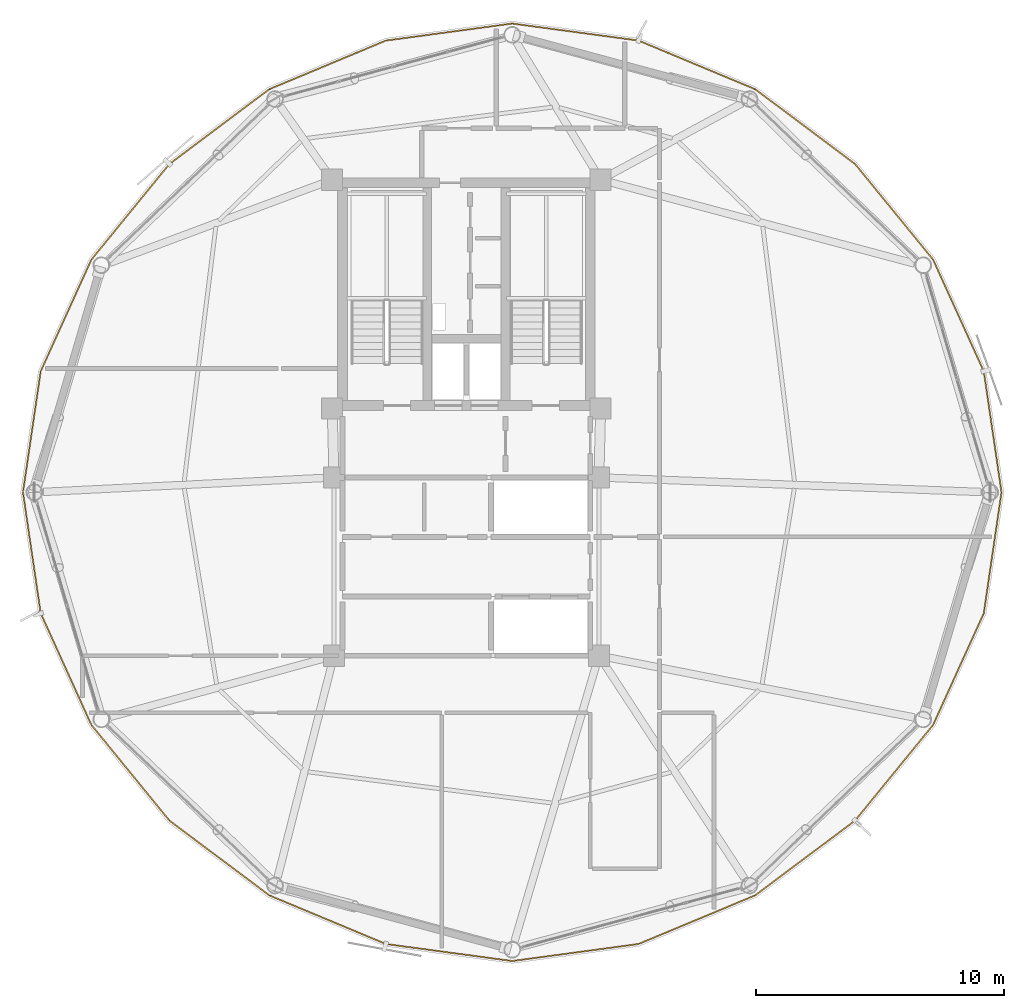
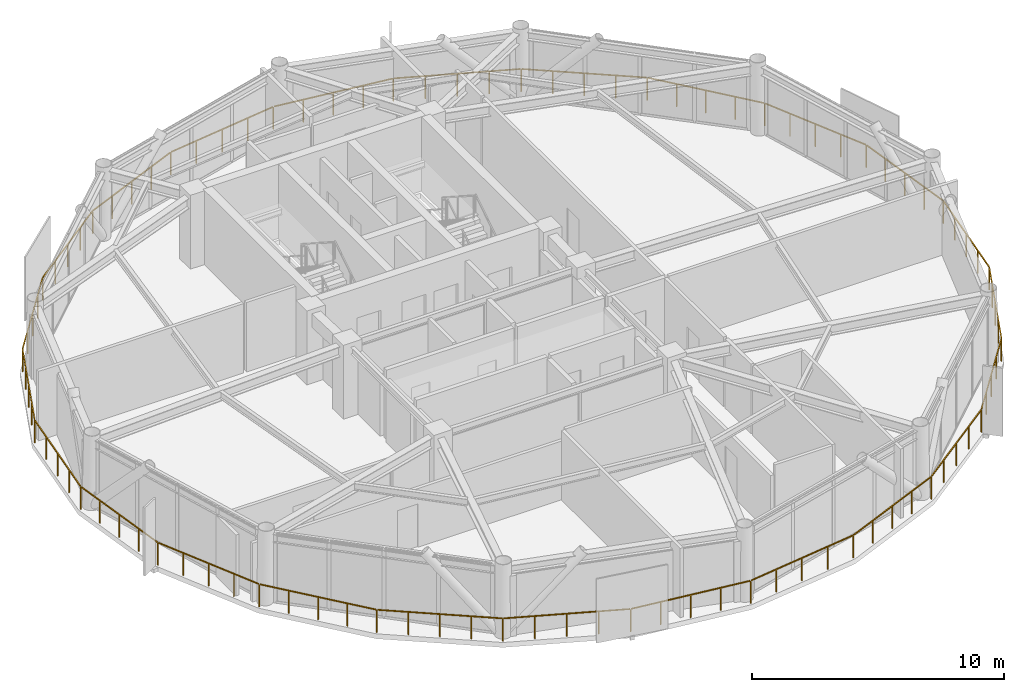
# One storey, part 27 of 28: 1 railing.
"""IFC4 building model written with IfcOpenShell, lengths in metres."""

from ifc_helpers import new_model, si_unit, direction, frame, origin, origin_2d, place, context, subcontext, project, spatial, rectangle, extrude, material, type_object, element, save


model = new_model("IFC4")

# Units and contexts
model_context = context("Model", 3, precision=1e-05, world=origin(), true_north=direction((0.0, 1.0)))
body_context = subcontext(model_context, "Body", "Model", "MODEL_VIEW")
ifc_project = project(units=[si_unit("LENGTHUNIT", "METRE"), si_unit("AREAUNIT", "SQUARE_METRE"), si_unit("VOLUMEUNIT", "CUBIC_METRE"), si_unit("PLANEANGLEUNIT", "RADIAN"), si_unit("MASSUNIT", "GRAM", prefix="KILO")], contexts=[model_context])

# Site, building, storey
site_placement = place(None, origin())
site = spatial("IfcSite", under=ifc_project, at=site_placement, CompositionType="ELEMENT")
building_placement = place(site_placement, origin())
building = spatial("IfcBuilding", under=site, at=building_placement, Name="Varnakorn Sky Granary", CompositionType="ELEMENT")
storey_placement = place(building_placement, frame((0.0, 0.0, 204.0)))
storey = spatial("IfcBuildingStorey", under=building, at=storey_placement, Name="L51", CompositionType="ELEMENT", Elevation=204.0)

# Railing
ifc_material = material(Name="Anodised Bronze Aluminium Alloy 6063-T6", Category="aluminium")
railing_type = type_object("IfcRailingType", Name="RL-BAL-1120", PredefinedType="BALUSTRADE", material=ifc_material)
railing_placement = place(storey_placement, frame((24.60693359375, 0.0, 0.0)))
element("IfcRailing", 1, at=railing_placement, inside=storey, type_object=railing_type, Name="Perimeter Slab-Edge Safety Guard L51", PredefinedType="BALUSTRADE", context=body_context, shape_type="SweptSolid", body=[
    extrude(rectangle(XDim=0.048095703125, YDim=0.048095703125, at=origin_2d()), frame((-0.004150390625, -0.027587890625, 1.09619140625), z_axis=(-0.144985743321, -0.989433744236, 0.0), x_axis=(0.989433744236, -0.144985743321, 0.0)), (0.0, 0.0, 1.0), 4.881103515625),
    extrude(rectangle(XDim=0.048095703125, YDim=0.048095703125, at=origin_2d()), frame((-0.727294921875, -4.910400390625, 1.09619140625), z_axis=(-0.413249336206, -0.910617914455, 0.0), x_axis=(0.910617914455, -0.413249336206, 0.0)), (0.0, 0.0, 1.0), 4.895263671875),
    extrude(rectangle(XDim=0.048095703125, YDim=0.048095703125, at=origin_2d()), frame((-2.779541015625, -9.41552734375, 1.09619140625), z_axis=(-0.632122083416, -0.774868809321, 0.0), x_axis=(0.774868809321, -0.632122083416, 0.0)), (0.0, 0.0, 1.0), 4.927734375),
    extrude(rectangle(XDim=0.048095703125, YDim=0.048095703125, at=origin_2d()), frame((-5.934814453125, -13.2724609375, 1.09619140625), z_axis=(-0.800494010209, -0.599340754178, 0.0), x_axis=(0.599340754178, -0.800494010209, 0.0)), (0.0, 0.0, 1.0), 4.982177734375),
    extrude(rectangle(XDim=0.048095703125, YDim=0.048095703125, at=origin_2d()), frame((-9.97119140625, -16.285888671875, 1.09619140625), z_axis=(-0.922929655413, -0.384968636591, 0.0), x_axis=(0.384968636591, -0.922929655413, 0.0)), (0.0, 0.0, 1.0), 5.04736328125),
    extrude(rectangle(XDim=0.048095703125, YDim=0.048095703125, at=origin_2d()), frame((-14.68310546875, -18.243408203125, 1.09619140625), z_axis=(-0.991022514677, -0.133695083694, 0.0), x_axis=(0.133695083694, -0.991022514677, 0.0)), (0.0, 0.0, 1.0), 5.091796875),
    extrude(rectangle(XDim=0.048095703125, YDim=0.048095703125, at=origin_2d()), frame((-19.78466796875, -18.92431640625, 1.09619140625), z_axis=(-0.991023362335, 0.133688800231, 0.0), x_axis=(-0.133688800231, -0.991023362335, 0.0)), (0.0, 0.0, 1.0), 5.092041015625),
    extrude(rectangle(XDim=0.048095703125, YDim=0.048095703125, at=origin_2d()), frame((-24.884521484375, -18.22900390625, 1.09619140625), z_axis=(-0.922922565012, 0.384985634786, 0.0), x_axis=(-0.384985634786, -0.922922565012, 0.0)), (0.0, 0.0, 1.0), 5.047119140625),
    extrude(rectangle(XDim=0.048095703125, YDim=0.048095703125, at=origin_2d()), frame((-29.5908203125, -16.25830078125, 1.09619140625), z_axis=(-0.800511416117, 0.599317505723, 0.0), x_axis=(-0.599317505723, -0.800511416117, 0.0)), (0.0, 0.0, 1.0), 4.982177734375),
    extrude(rectangle(XDim=0.048095703125, YDim=0.048095703125, at=origin_2d()), frame((-33.619140625, -13.23388671875, 1.09619140625), z_axis=(-0.632122083416, 0.774868809321, 0.0), x_axis=(-0.774868809321, -0.632122083416, 0.0)), (0.0, 0.0, 1.0), 4.927734375),
    extrude(rectangle(XDim=0.048095703125, YDim=0.048095703125, at=origin_2d()), frame((-36.763427734375, -9.368408203125, 1.09619140625), z_axis=(-0.41320844763, 0.910636469074, 0.0), x_axis=(-0.910636469074, -0.41320844763, 0.0)), (0.0, 0.0, 1.0), 4.895263671875),
    extrude(rectangle(XDim=0.048095703125, YDim=0.048095703125, at=origin_2d()), frame((-38.802001953125, -4.857421875, 1.09619140625), z_axis=(-0.145034152765, 0.989426649394, 0.0), x_axis=(-0.989426649394, -0.145034152765, 0.0)), (0.0, 0.0, 1.0), 4.881103515625),
    extrude(rectangle(XDim=0.048095703125, YDim=0.048095703125, at=origin_2d()), frame((-39.509765625, 0.027587890625, 1.09619140625), z_axis=(0.145034152765, 0.989426649394, 0.0), x_axis=(-0.989426649394, 0.145034152765, 0.0)), (0.0, 0.0, 1.0), 4.881103515625),
    extrude(rectangle(XDim=0.048095703125, YDim=0.048095703125, at=origin_2d()), frame((-38.786376953125, 4.910400390625, 1.09619140625), z_axis=(0.41320844763, 0.910636469074, 0.0), x_axis=(-0.910636469074, 0.41320844763, 0.0)), (0.0, 0.0, 1.0), 4.895263671875),
    extrude(rectangle(XDim=0.048095703125, YDim=0.048095703125, at=origin_2d()), frame((-36.734375, 9.41552734375, 1.09619140625), z_axis=(0.632122083416, 0.774868809321, 0.0), x_axis=(-0.774868809321, 0.632122083416, 0.0)), (0.0, 0.0, 1.0), 4.927734375),
    extrude(rectangle(XDim=0.048095703125, YDim=0.048095703125, at=origin_2d()), frame((-33.5791015625, 13.2724609375, 1.09619140625), z_axis=(0.800511416117, 0.599317505723, 0.0), x_axis=(-0.599317505723, 0.800511416117, 0.0)), (0.0, 0.0, 1.0), 4.982177734375),
    extrude(rectangle(XDim=0.048095703125, YDim=0.048095703125, at=origin_2d()), frame((-29.54248046875, 16.285888671875, 1.09619140625), z_axis=(0.922922565012, 0.384985634786, 0.0), x_axis=(-0.384985634786, 0.922922565012, 0.0)), (0.0, 0.0, 1.0), 5.047119140625),
    extrude(rectangle(XDim=0.048095703125, YDim=0.048095703125, at=origin_2d()), frame((-24.830810546875, 18.243408203125, 1.09619140625), z_axis=(0.991023362335, 0.133688800231, 0.0), x_axis=(-0.133688800231, 0.991023362335, 0.0)), (0.0, 0.0, 1.0), 5.092041015625),
    extrude(rectangle(XDim=0.048095703125, YDim=0.048095703125, at=origin_2d()), frame((-19.72900390625, 18.92431640625, 1.09619140625), z_axis=(0.991022514677, -0.133695083694, 0.0), x_axis=(0.133695083694, 0.991022514677, 0.0)), (0.0, 0.0, 1.0), 5.091796875),
    extrude(rectangle(XDim=0.048095703125, YDim=0.048095703125, at=origin_2d()), frame((-14.62939453125, 18.22900390625, 1.09619140625), z_axis=(0.922929655413, -0.384968636591, 0.0), x_axis=(0.384968636591, 0.922929655413, 0.0)), (0.0, 0.0, 1.0), 5.04736328125),
    extrude(rectangle(XDim=0.048095703125, YDim=0.048095703125, at=origin_2d()), frame((-9.9228515625, 16.25830078125, 1.09619140625), z_axis=(0.800494010209, -0.599340754178, 0.0), x_axis=(0.599340754178, 0.800494010209, 0.0)), (0.0, 0.0, 1.0), 4.982177734375),
    extrude(rectangle(XDim=0.048095703125, YDim=0.048095703125, at=origin_2d()), frame((-5.894775390625, 13.23388671875, 1.09619140625), z_axis=(0.632122083416, -0.774868809321, 0.0), x_axis=(0.774868809321, 0.632122083416, 0.0)), (0.0, 0.0, 1.0), 4.927734375),
    extrude(rectangle(XDim=0.048095703125, YDim=0.048095703125, at=origin_2d()), frame((-2.75048828125, 9.368408203125, 1.09619140625), z_axis=(0.413249336206, -0.910617914455, 0.0), x_axis=(0.910617914455, 0.413249336206, 0.0)), (0.0, 0.0, 1.0), 4.895263671875),
    extrude(rectangle(XDim=0.048095703125, YDim=0.048095703125, at=origin_2d()), frame((-0.711669921875, 4.857421875, 1.09619140625), z_axis=(0.144985743321, -0.989433744236, 0.0), x_axis=(0.989433744236, 0.144985743321, 0.0)), (0.0, 0.0, 1.0), 4.881103515625),
    extrude(rectangle(XDim=0.0419921875, YDim=0.0419921875, at=origin_2d()), origin(), (0.0, 0.0, 1.0), 1.068115234375),
    extrude(rectangle(XDim=0.0419921875, YDim=0.0419921875, at=origin_2d()), frame((-0.178955078125, -1.22119140625, 0.0)), (0.0, 0.0, 1.0), 1.068115234375),
    extrude(rectangle(XDim=0.0419921875, YDim=0.0419921875, at=origin_2d()), frame((-0.35791015625, -2.4423828125, 0.0)), (0.0, 0.0, 1.0), 1.068115234375),
    extrude(rectangle(XDim=0.0419921875, YDim=0.0419921875, at=origin_2d()), frame((-0.536865234375, -3.663818359375, 0.0)), (0.0, 0.0, 1.0), 1.068115234375),
    extrude(rectangle(XDim=0.0419921875, YDim=0.0419921875, at=origin_2d()), frame((-0.7158203125, -4.885009765625, 0.0)), (0.0, 0.0, 1.0), 1.068115234375),
    extrude(rectangle(XDim=0.0419921875, YDim=0.0419921875, at=origin_2d()), frame((-1.227294921875, -6.01220703125, 0.0)), (0.0, 0.0, 1.0), 1.068115234375),
    extrude(rectangle(XDim=0.0419921875, YDim=0.0419921875, at=origin_2d()), frame((-1.73876953125, -7.139404296875, 0.0)), (0.0, 0.0, 1.0), 1.068115234375),
    extrude(rectangle(XDim=0.0419921875, YDim=0.0419921875, at=origin_2d()), frame((-2.25048828125, -8.2666015625, 0.0)), (0.0, 0.0, 1.0), 1.068115234375),
    extrude(rectangle(XDim=0.0419921875, YDim=0.0419921875, at=origin_2d()), frame((-2.761962890625, -9.393798828125, 0.0)), (0.0, 0.0, 1.0), 1.068115234375),
    extrude(rectangle(XDim=0.0419921875, YDim=0.0419921875, at=origin_2d()), frame((-3.549560546875, -10.359375, 0.0)), (0.0, 0.0, 1.0), 1.068115234375),
    extrude(rectangle(XDim=0.0419921875, YDim=0.0419921875, at=origin_2d()), frame((-4.337158203125, -11.32470703125, 0.0)), (0.0, 0.0, 1.0), 1.068115234375),
    extrude(rectangle(XDim=0.0419921875, YDim=0.0419921875, at=origin_2d()), frame((-5.124755859375, -12.2900390625, 0.0)), (0.0, 0.0, 1.0), 1.068115234375),
    extrude(rectangle(XDim=0.0419921875, YDim=0.0419921875, at=origin_2d()), frame((-5.912353515625, -13.255615234375, 0.0)), (0.0, 0.0, 1.0), 1.068115234375),
    extrude(rectangle(XDim=0.0419921875, YDim=0.0419921875, at=origin_2d()), frame((-6.920654296875, -14.010498046875, 0.0)), (0.0, 0.0, 1.0), 1.068115234375),
    extrude(rectangle(XDim=0.0419921875, YDim=0.0419921875, at=origin_2d()), frame((-7.9287109375, -14.765380859375, 0.0)), (0.0, 0.0, 1.0), 1.068115234375),
    extrude(rectangle(XDim=0.0419921875, YDim=0.0419921875, at=origin_2d()), frame((-8.93701171875, -15.520263671875, 0.0)), (0.0, 0.0, 1.0), 1.068115234375),
    extrude(rectangle(XDim=0.0419921875, YDim=0.0419921875, at=origin_2d()), frame((-9.9453125, -16.275146484375, 0.0)), (0.0, 0.0, 1.0), 1.068115234375),
    extrude(rectangle(XDim=0.0419921875, YDim=0.0419921875, at=origin_2d()), frame((-11.122802734375, -16.766357421875, 0.0)), (0.0, 0.0, 1.0), 1.068115234375),
    extrude(rectangle(XDim=0.0419921875, YDim=0.0419921875, at=origin_2d()), frame((-12.30029296875, -17.25732421875, 0.0)), (0.0, 0.0, 1.0), 1.068115234375),
    extrude(rectangle(XDim=0.0419921875, YDim=0.0419921875, at=origin_2d()), frame((-13.477783203125, -17.74853515625, 0.0)), (0.0, 0.0, 1.0), 1.068115234375),
    extrude(rectangle(XDim=0.0419921875, YDim=0.0419921875, at=origin_2d()), frame((-14.6552734375, -18.23974609375, 0.0)), (0.0, 0.0, 1.0), 1.068115234375),
    extrude(rectangle(XDim=0.0419921875, YDim=0.0419921875, at=origin_2d()), frame((-15.9306640625, -18.411865234375, 0.0)), (0.0, 0.0, 1.0), 1.068115234375),
    extrude(rectangle(XDim=0.0419921875, YDim=0.0419921875, at=origin_2d()), frame((-17.2060546875, -18.583984375, 0.0)), (0.0, 0.0, 1.0), 1.068115234375),
    extrude(rectangle(XDim=0.0419921875, YDim=0.0419921875, at=origin_2d()), frame((-18.4814453125, -18.755859375, 0.0)), (0.0, 0.0, 1.0), 1.068115234375),
    extrude(rectangle(XDim=0.0419921875, YDim=0.0419921875, at=origin_2d()), frame((-19.7568359375, -18.927978515625, 0.0)), (0.0, 0.0, 1.0), 1.068115234375),
    extrude(rectangle(XDim=0.0419921875, YDim=0.0419921875, at=origin_2d()), frame((-21.0322265625, -18.755859375, 0.0)), (0.0, 0.0, 1.0), 1.068115234375),
    extrude(rectangle(XDim=0.0419921875, YDim=0.0419921875, at=origin_2d()), frame((-22.3076171875, -18.583984375, 0.0)), (0.0, 0.0, 1.0), 1.068115234375),
    extrude(rectangle(XDim=0.0419921875, YDim=0.0419921875, at=origin_2d()), frame((-23.583251953125, -18.411865234375, 0.0)), (0.0, 0.0, 1.0), 1.068115234375),
    extrude(rectangle(XDim=0.0419921875, YDim=0.0419921875, at=origin_2d()), frame((-24.858642578125, -18.23974609375, 0.0)), (0.0, 0.0, 1.0), 1.068115234375),
    extrude(rectangle(XDim=0.0419921875, YDim=0.0419921875, at=origin_2d()), frame((-26.0361328125, -17.74853515625, 0.0)), (0.0, 0.0, 1.0), 1.068115234375),
    extrude(rectangle(XDim=0.0419921875, YDim=0.0419921875, at=origin_2d()), frame((-27.21337890625, -17.25732421875, 0.0)), (0.0, 0.0, 1.0), 1.068115234375),
    extrude(rectangle(XDim=0.0419921875, YDim=0.0419921875, at=origin_2d()), frame((-28.390869140625, -16.766357421875, 0.0)), (0.0, 0.0, 1.0), 1.068115234375),
    extrude(rectangle(XDim=0.0419921875, YDim=0.0419921875, at=origin_2d()), frame((-29.568359375, -16.275146484375, 0.0)), (0.0, 0.0, 1.0), 1.068115234375),
    extrude(rectangle(XDim=0.0419921875, YDim=0.0419921875, at=origin_2d()), frame((-30.57666015625, -15.520263671875, 0.0)), (0.0, 0.0, 1.0), 1.068115234375),
    extrude(rectangle(XDim=0.0419921875, YDim=0.0419921875, at=origin_2d()), frame((-31.5849609375, -14.765380859375, 0.0)), (0.0, 0.0, 1.0), 1.068115234375),
    extrude(rectangle(XDim=0.0419921875, YDim=0.0419921875, at=origin_2d()), frame((-32.59326171875, -14.010498046875, 0.0)), (0.0, 0.0, 1.0), 1.068115234375),
    extrude(rectangle(XDim=0.0419921875, YDim=0.0419921875, at=origin_2d()), frame((-33.6015625, -13.255615234375, 0.0)), (0.0, 0.0, 1.0), 1.068115234375),
    extrude(rectangle(XDim=0.0419921875, YDim=0.0419921875, at=origin_2d()), frame((-34.38916015625, -12.2900390625, 0.0)), (0.0, 0.0, 1.0), 1.068115234375),
    extrude(rectangle(XDim=0.0419921875, YDim=0.0419921875, at=origin_2d()), frame((-35.1767578125, -11.32470703125, 0.0)), (0.0, 0.0, 1.0), 1.068115234375),
    extrude(rectangle(XDim=0.0419921875, YDim=0.0419921875, at=origin_2d()), frame((-35.96435546875, -10.359375, 0.0)), (0.0, 0.0, 1.0), 1.068115234375),
    extrude(rectangle(XDim=0.0419921875, YDim=0.0419921875, at=origin_2d()), frame((-36.751953125, -9.393798828125, 0.0)), (0.0, 0.0, 1.0), 1.068115234375),
    extrude(rectangle(XDim=0.0419921875, YDim=0.0419921875, at=origin_2d()), frame((-37.263427734375, -8.2666015625, 0.0)), (0.0, 0.0, 1.0), 1.068115234375),
    extrude(rectangle(XDim=0.0419921875, YDim=0.0419921875, at=origin_2d()), frame((-37.77490234375, -7.139404296875, 0.0)), (0.0, 0.0, 1.0), 1.068115234375),
    extrude(rectangle(XDim=0.0419921875, YDim=0.0419921875, at=origin_2d()), frame((-38.286376953125, -6.01220703125, 0.0)), (0.0, 0.0, 1.0), 1.068115234375),
    extrude(rectangle(XDim=0.0419921875, YDim=0.0419921875, at=origin_2d()), frame((-38.7978515625, -4.885009765625, 0.0)), (0.0, 0.0, 1.0), 1.068115234375),
    extrude(rectangle(XDim=0.0419921875, YDim=0.0419921875, at=origin_2d()), frame((-38.976806640625, -3.663818359375, 0.0)), (0.0, 0.0, 1.0), 1.068115234375),
    extrude(rectangle(XDim=0.0419921875, YDim=0.0419921875, at=origin_2d()), frame((-39.15576171875, -2.4423828125, 0.0)), (0.0, 0.0, 1.0), 1.068115234375),
    extrude(rectangle(XDim=0.0419921875, YDim=0.0419921875, at=origin_2d()), frame((-39.3349609375, -1.22119140625, 0.0)), (0.0, 0.0, 1.0), 1.068115234375),
    extrude(rectangle(XDim=0.0419921875, YDim=0.0419921875, at=origin_2d()), frame((-39.513916015625, 0.0, 0.0)), (0.0, 0.0, 1.0), 1.068115234375),
    extrude(rectangle(XDim=0.0419921875, YDim=0.0419921875, at=origin_2d()), frame((-39.3349609375, 1.22119140625, 0.0)), (0.0, 0.0, 1.0), 1.068115234375),
    extrude(rectangle(XDim=0.0419921875, YDim=0.0419921875, at=origin_2d()), frame((-39.15576171875, 2.4423828125, 0.0)), (0.0, 0.0, 1.0), 1.068115234375),
    extrude(rectangle(XDim=0.0419921875, YDim=0.0419921875, at=origin_2d()), frame((-38.976806640625, 3.663818359375, 0.0)), (0.0, 0.0, 1.0), 1.068115234375),
    extrude(rectangle(XDim=0.0419921875, YDim=0.0419921875, at=origin_2d()), frame((-38.7978515625, 4.885009765625, 0.0)), (0.0, 0.0, 1.0), 1.068115234375),
    extrude(rectangle(XDim=0.0419921875, YDim=0.0419921875, at=origin_2d()), frame((-38.286376953125, 6.01220703125, 0.0)), (0.0, 0.0, 1.0), 1.068115234375),
    extrude(rectangle(XDim=0.0419921875, YDim=0.0419921875, at=origin_2d()), frame((-37.77490234375, 7.139404296875, 0.0)), (0.0, 0.0, 1.0), 1.068115234375),
    extrude(rectangle(XDim=0.0419921875, YDim=0.0419921875, at=origin_2d()), frame((-37.263427734375, 8.2666015625, 0.0)), (0.0, 0.0, 1.0), 1.068115234375),
    extrude(rectangle(XDim=0.0419921875, YDim=0.0419921875, at=origin_2d()), frame((-36.751953125, 9.393798828125, 0.0)), (0.0, 0.0, 1.0), 1.068115234375),
    extrude(rectangle(XDim=0.0419921875, YDim=0.0419921875, at=origin_2d()), frame((-35.96435546875, 10.359375, 0.0)), (0.0, 0.0, 1.0), 1.068115234375),
    extrude(rectangle(XDim=0.0419921875, YDim=0.0419921875, at=origin_2d()), frame((-35.1767578125, 11.32470703125, 0.0)), (0.0, 0.0, 1.0), 1.068115234375),
    extrude(rectangle(XDim=0.0419921875, YDim=0.0419921875, at=origin_2d()), frame((-34.38916015625, 12.2900390625, 0.0)), (0.0, 0.0, 1.0), 1.068115234375),
    extrude(rectangle(XDim=0.0419921875, YDim=0.0419921875, at=origin_2d()), frame((-33.6015625, 13.255615234375, 0.0)), (0.0, 0.0, 1.0), 1.068115234375),
    extrude(rectangle(XDim=0.0419921875, YDim=0.0419921875, at=origin_2d()), frame((-32.59326171875, 14.010498046875, 0.0)), (0.0, 0.0, 1.0), 1.068115234375),
    extrude(rectangle(XDim=0.0419921875, YDim=0.0419921875, at=origin_2d()), frame((-31.5849609375, 14.765380859375, 0.0)), (0.0, 0.0, 1.0), 1.068115234375),
    extrude(rectangle(XDim=0.0419921875, YDim=0.0419921875, at=origin_2d()), frame((-30.57666015625, 15.520263671875, 0.0)), (0.0, 0.0, 1.0), 1.068115234375),
    extrude(rectangle(XDim=0.0419921875, YDim=0.0419921875, at=origin_2d()), frame((-29.568359375, 16.275146484375, 0.0)), (0.0, 0.0, 1.0), 1.068115234375),
    extrude(rectangle(XDim=0.0419921875, YDim=0.0419921875, at=origin_2d()), frame((-28.390869140625, 16.766357421875, 0.0)), (0.0, 0.0, 1.0), 1.068115234375),
    extrude(rectangle(XDim=0.0419921875, YDim=0.0419921875, at=origin_2d()), frame((-27.21337890625, 17.25732421875, 0.0)), (0.0, 0.0, 1.0), 1.068115234375),
    extrude(rectangle(XDim=0.0419921875, YDim=0.0419921875, at=origin_2d()), frame((-26.0361328125, 17.74853515625, 0.0)), (0.0, 0.0, 1.0), 1.068115234375),
    extrude(rectangle(XDim=0.0419921875, YDim=0.0419921875, at=origin_2d()), frame((-24.858642578125, 18.23974609375, 0.0)), (0.0, 0.0, 1.0), 1.068115234375),
    extrude(rectangle(XDim=0.0419921875, YDim=0.0419921875, at=origin_2d()), frame((-23.583251953125, 18.411865234375, 0.0)), (0.0, 0.0, 1.0), 1.068115234375),
    extrude(rectangle(XDim=0.0419921875, YDim=0.0419921875, at=origin_2d()), frame((-22.3076171875, 18.583984375, 0.0)), (0.0, 0.0, 1.0), 1.068115234375),
    extrude(rectangle(XDim=0.0419921875, YDim=0.0419921875, at=origin_2d()), frame((-21.0322265625, 18.755859375, 0.0)), (0.0, 0.0, 1.0), 1.068115234375),
    extrude(rectangle(XDim=0.0419921875, YDim=0.0419921875, at=origin_2d()), frame((-19.7568359375, 18.927978515625, 0.0)), (0.0, 0.0, 1.0), 1.068115234375),
    extrude(rectangle(XDim=0.0419921875, YDim=0.0419921875, at=origin_2d()), frame((-18.4814453125, 18.755859375, 0.0)), (0.0, 0.0, 1.0), 1.068115234375),
    extrude(rectangle(XDim=0.0419921875, YDim=0.0419921875, at=origin_2d()), frame((-17.2060546875, 18.583984375, 0.0)), (0.0, 0.0, 1.0), 1.068115234375),
    extrude(rectangle(XDim=0.0419921875, YDim=0.0419921875, at=origin_2d()), frame((-15.9306640625, 18.411865234375, 0.0)), (0.0, 0.0, 1.0), 1.068115234375),
    extrude(rectangle(XDim=0.0419921875, YDim=0.0419921875, at=origin_2d()), frame((-14.6552734375, 18.23974609375, 0.0)), (0.0, 0.0, 1.0), 1.068115234375),
    extrude(rectangle(XDim=0.0419921875, YDim=0.0419921875, at=origin_2d()), frame((-13.477783203125, 17.74853515625, 0.0)), (0.0, 0.0, 1.0), 1.068115234375),
    extrude(rectangle(XDim=0.0419921875, YDim=0.0419921875, at=origin_2d()), frame((-12.30029296875, 17.25732421875, 0.0)), (0.0, 0.0, 1.0), 1.068115234375),
    extrude(rectangle(XDim=0.0419921875, YDim=0.0419921875, at=origin_2d()), frame((-11.122802734375, 16.766357421875, 0.0)), (0.0, 0.0, 1.0), 1.068115234375),
    extrude(rectangle(XDim=0.0419921875, YDim=0.0419921875, at=origin_2d()), frame((-9.9453125, 16.275146484375, 0.0)), (0.0, 0.0, 1.0), 1.068115234375),
    extrude(rectangle(XDim=0.0419921875, YDim=0.0419921875, at=origin_2d()), frame((-8.93701171875, 15.520263671875, 0.0)), (0.0, 0.0, 1.0), 1.068115234375),
    extrude(rectangle(XDim=0.0419921875, YDim=0.0419921875, at=origin_2d()), frame((-7.9287109375, 14.765380859375, 0.0)), (0.0, 0.0, 1.0), 1.068115234375),
    extrude(rectangle(XDim=0.0419921875, YDim=0.0419921875, at=origin_2d()), frame((-6.920654296875, 14.010498046875, 0.0)), (0.0, 0.0, 1.0), 1.068115234375),
    extrude(rectangle(XDim=0.0419921875, YDim=0.0419921875, at=origin_2d()), frame((-5.912353515625, 13.255615234375, 0.0)), (0.0, 0.0, 1.0), 1.068115234375),
    extrude(rectangle(XDim=0.0419921875, YDim=0.0419921875, at=origin_2d()), frame((-5.124755859375, 12.2900390625, 0.0)), (0.0, 0.0, 1.0), 1.068115234375),
    extrude(rectangle(XDim=0.0419921875, YDim=0.0419921875, at=origin_2d()), frame((-4.337158203125, 11.32470703125, 0.0)), (0.0, 0.0, 1.0), 1.068115234375),
    extrude(rectangle(XDim=0.0419921875, YDim=0.0419921875, at=origin_2d()), frame((-3.549560546875, 10.359375, 0.0)), (0.0, 0.0, 1.0), 1.068115234375),
    extrude(rectangle(XDim=0.0419921875, YDim=0.0419921875, at=origin_2d()), frame((-2.761962890625, 9.393798828125, 0.0)), (0.0, 0.0, 1.0), 1.068115234375),
    extrude(rectangle(XDim=0.0419921875, YDim=0.0419921875, at=origin_2d()), frame((-2.25048828125, 8.2666015625, 0.0)), (0.0, 0.0, 1.0), 1.068115234375),
    extrude(rectangle(XDim=0.0419921875, YDim=0.0419921875, at=origin_2d()), frame((-1.73876953125, 7.139404296875, 0.0)), (0.0, 0.0, 1.0), 1.068115234375),
    extrude(rectangle(XDim=0.0419921875, YDim=0.0419921875, at=origin_2d()), frame((-1.227294921875, 6.01220703125, 0.0)), (0.0, 0.0, 1.0), 1.068115234375),
    extrude(rectangle(XDim=0.0419921875, YDim=0.0419921875, at=origin_2d()), frame((-0.7158203125, 4.885009765625, 0.0)), (0.0, 0.0, 1.0), 1.068115234375),
    extrude(rectangle(XDim=0.0419921875, YDim=0.0419921875, at=origin_2d()), frame((-0.536865234375, 3.663818359375, 0.0)), (0.0, 0.0, 1.0), 1.068115234375),
    extrude(rectangle(XDim=0.0419921875, YDim=0.0419921875, at=origin_2d()), frame((-0.35791015625, 2.4423828125, 0.0)), (0.0, 0.0, 1.0), 1.068115234375),
    extrude(rectangle(XDim=0.0419921875, YDim=0.0419921875, at=origin_2d()), frame((-0.178955078125, 1.22119140625, 0.0)), (0.0, 0.0, 1.0), 1.068115234375),
])

save(model, "model.ifc")
